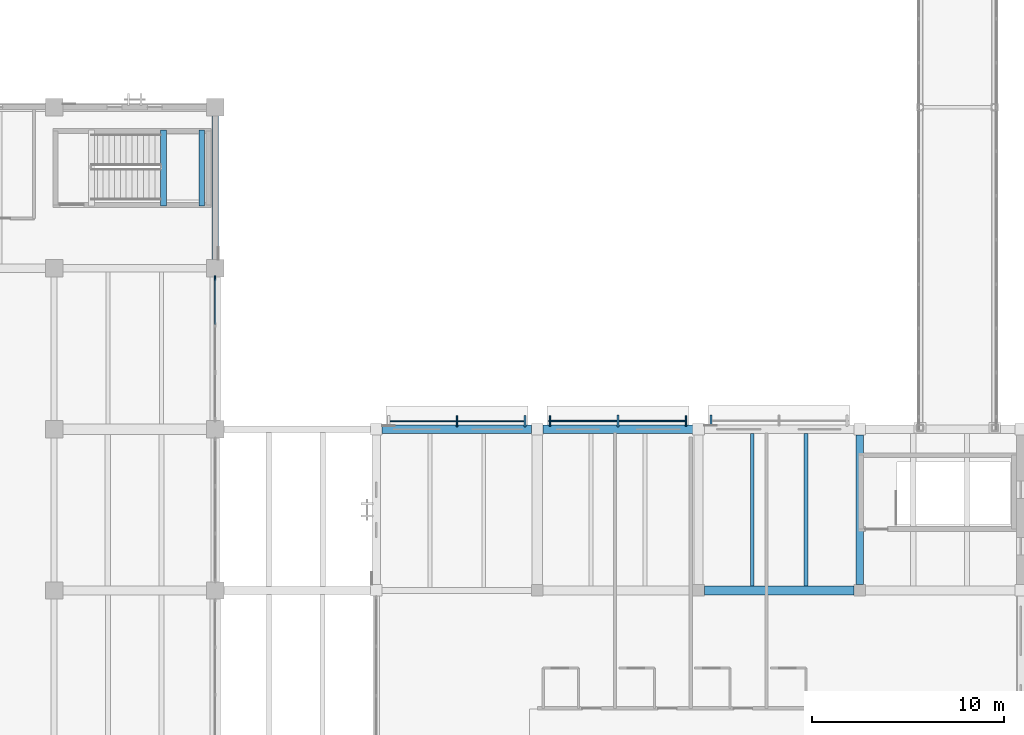
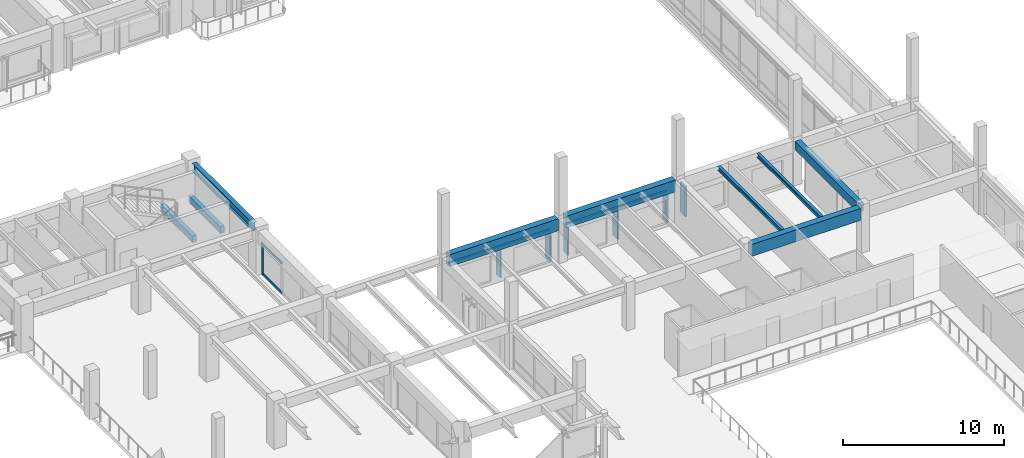
# One storey, part 24 of 118: 11 members, 9 beams, 4 elements without a shape of their own.
"""IFC4 building model written with IfcOpenShell, lengths in metres."""

import ifcopenshell
import ifcopenshell.guid

model = None  # the IFC model being written
_history = None  # IfcOwnerHistory: only IFC2X3 demands one
_inside = {}  # id of a spatial element -> (the spatial element, [elements in it])
_under = {}  # id of a project, library or spatial element -> (it, [spatial elements below it])
_declared = {}  # id of a project -> (the project, [libraries it declares])
_typed = {}  # id of a type object -> (the type object, [elements of that type])
_made_of = {}  # id of a material, layer set ... -> (it, [elements and type objects made of it])


def new_model(schema):
    """Start an empty IFC model of exactly this schema.

    Asked for "IFC4X3", IfcOpenShell would pick the latest addendum, in which some entities
    have other attributes; the version numbers below select the first issue.
    IFC2X3 requires an IfcOwnerHistory on every rooted entity: one is made here for all.
    """
    global model, _history
    if schema == "IFC4X3":
        model = ifcopenshell.file(schema_version=(4, 3, 0, 0))
    else:
        model = ifcopenshell.file(schema=schema)
    _inside.clear()
    _under.clear()
    _declared.clear()
    _typed.clear()
    _made_of.clear()
    _history = None
    if model.schema == "IFC2X3":
        org = make("IfcOrganization", Name="unknown")
        user = make(
            "IfcPersonAndOrganization",
            ThePerson=make("IfcPerson", FamilyName="unknown"),
            TheOrganization=org,
        )
        app = make(
            "IfcApplication",
            ApplicationDeveloper=org,
            Version="unknown",
            ApplicationFullName="unknown",
            ApplicationIdentifier="unknown",
        )
        _history = make(
            "IfcOwnerHistory",
            OwningUser=user,
            OwningApplication=app,
            ChangeAction="ADDED",
            CreationDate=0,
        )
    return model


def make(cls, **values):
    """One entity of the class cls with the attributes given. An attribute that is None is left unset."""
    return model.create_entity(
        cls, **{name: value for name, value in values.items() if value is not None}
    )


def rooted(cls, **values):
    """An entity with a GlobalId (a new one), such as an element, a storey or a relation."""
    return make(cls, GlobalId=ifcopenshell.guid.new(), OwnerHistory=_history, **values)


def si_unit(unit_type, name, prefix=None):
    """IfcSIUnit, for example si_unit("LENGTHUNIT", "METRE", prefix="MILLI")."""
    return make("IfcSIUnit", UnitType=unit_type, Prefix=prefix, Name=name)


def assignment(units):
    """IfcUnitAssignment: the units of a project."""
    return None if units is None else make("IfcUnitAssignment", Units=units)


def point(xyz):
    """IfcCartesianPoint."""
    return None if xyz is None else make("IfcCartesianPoint", Coordinates=xyz)


def direction(xyz):
    """IfcDirection."""
    return None if xyz is None else make("IfcDirection", DirectionRatios=xyz)


def frame(location, z_axis=None, x_axis=None):
    """IfcAxis2Placement3D, a coordinate frame: its origin and axes. An axis left out is left unset."""
    return make(
        "IfcAxis2Placement3D",
        Location=point(location),
        Axis=direction(z_axis),
        RefDirection=direction(x_axis),
    )


def frame_2d(location, x_axis=None):
    """IfcAxis2Placement2D, a coordinate frame in the plane: its origin and x axis."""
    return make(
        "IfcAxis2Placement2D", Location=point(location), RefDirection=direction(x_axis)
    )


def origin():
    """The frame at (0, 0, 0) with its axes left unset."""
    return frame((0.0, 0.0, 0.0))


def origin_2d():
    """The frame at (0, 0) in the plane with its x axis left unset."""
    return frame_2d((0.0, 0.0))


def place(relative_to, where):
    """IfcLocalPlacement: puts the frame where relative to a parent placement (None: the world)."""
    return make(
        "IfcLocalPlacement", PlacementRelTo=relative_to, RelativePlacement=where
    )


def context(
    kind, dimensions, precision=None, world=None, true_north=None, identifier=None
):
    """IfcGeometricRepresentationContext, for example the 3D "Model" context."""
    return make(
        "IfcGeometricRepresentationContext",
        ContextIdentifier=identifier,
        ContextType=kind,
        CoordinateSpaceDimension=dimensions,
        Precision=precision,
        WorldCoordinateSystem=world,
        TrueNorth=true_north,
    )


def subcontext(parent, identifier, kind, view, scale=None):
    """IfcGeometricRepresentationSubContext, for example "Body" below "Model"."""
    return make(
        "IfcGeometricRepresentationSubContext",
        ContextIdentifier=identifier,
        ContextType=kind,
        ParentContext=parent,
        TargetScale=scale,
        TargetView=view,
    )


def project(units=None, contexts=None):
    """IfcProject with its units and contexts."""
    return rooted(
        "IfcProject",
        Name="project",
        RepresentationContexts=contexts,
        UnitsInContext=assignment(units),
    )


def spatial(cls, under=None, at=None, **own):
    """A site, building, storey or space (cls), placed at a placement, below another one or the project."""
    s = rooted(cls, ObjectPlacement=at, **own)
    if under is not None:
        _under.setdefault(under.id(), (under, []))[1].append(s)
    return s


def profile(cls, at=None, kind="AREA", **sizes):
    """A parametric profile (cls). Its sizes go by their IFC names, for example OverallWidth=200.0."""
    return make(cls, ProfileType=kind, Position=at, **sizes)


def rectangle(**sizes):
    """IfcRectangleProfileDef."""
    return profile("IfcRectangleProfileDef", **sizes)


def i_section(**sizes):
    """IfcIShapeProfileDef."""
    return profile("IfcIShapeProfileDef", **sizes)


def extrude(swept, where, along, depth):
    """IfcExtrudedAreaSolid: the profile swept, set in the frame where, extruded along a direction by depth."""
    return make(
        "IfcExtrudedAreaSolid",
        SweptArea=swept,
        Position=where,
        ExtrudedDirection=direction(along),
        Depth=depth,
    )


def shape(context_of_items, identifier, shape_type, items):
    """IfcShapeRepresentation: the items that make up one representation, for example the "Body"."""
    return make(
        "IfcShapeRepresentation",
        ContextOfItems=context_of_items,
        RepresentationIdentifier=identifier,
        RepresentationType=shape_type,
        Items=items,
    )


def material(Name=None, Category=None):
    """IfcMaterial."""
    return make("IfcMaterial", Name=Name, Category=Category)


def material_profile(
    of_material, cross_section, Name=None, Category=None, Priority=None
):
    """IfcMaterialProfile: a cross section and its material."""
    return make(
        "IfcMaterialProfile",
        Name=Name,
        Material=of_material,
        Profile=cross_section,
        Priority=Priority,
        Category=Category,
    )


def profile_set(profiles, Name=None, composite=None):
    """IfcMaterialProfileSet."""
    return make(
        "IfcMaterialProfileSet",
        Name=Name,
        MaterialProfiles=profiles,
        CompositeProfile=composite,
    )


def made_of(thing, what):
    """Note that an element or type object is made of a material, layer set ...; save() writes the relation."""
    if what is not None:
        _made_of.setdefault(what.id(), (what, []))[1].append(thing)
    return thing


def type_object(cls, material=None, **own):
    """A type object (cls), such as IfcWallType, which elements share."""
    return made_of(rooted(cls, **own), material)


def element(
    cls,
    number,
    at=None,
    inside=None,
    cuts=None,
    type_object=None,
    material=None,
    context=None,
    identifier="Body",
    shape_type=None,
    held_by="IfcProductDefinitionShape",
    body=None,
    shapes=None,
    **own,
):
    """One element of the class cls, such as IfcWall. Its Tag is "e" and its number.

    at: its placement. inside: the storey or other place that contains it. cuts: it is an
    opening in that element (IfcRelVoidsElement). A single representation is given by context,
    identifier, shape_type and body (its items); several are given by shapes. held_by: the class
    of the entity that holds the representations. save() writes the other relations.
    """
    e = rooted(cls, Tag="e%d" % number, ObjectPlacement=at, **own)
    if body is not None:
        shapes = [shape(context, identifier, shape_type, body)]
    if shapes is not None:
        e.Representation = make(held_by, Representations=shapes)
    if inside is not None:
        _inside.setdefault(inside.id(), (inside, []))[1].append(e)
    if cuts is not None:
        rooted(
            "IfcRelVoidsElement", RelatingBuildingElement=cuts, RelatedOpeningElement=e
        )
    if type_object is not None:
        _typed.setdefault(type_object.id(), (type_object, []))[1].append(e)
    return made_of(e, material)


def aggregate(whole, parts):
    """IfcRelAggregates: a whole, such as a stair, and the parts it consists of."""
    return rooted("IfcRelAggregates", RelatingObject=whole, RelatedObjects=parts)


def save(model, path):
    """Write the relations noted so far, then the file.

    IfcRelAggregates (storeys below a building ...), IfcRelContainedInSpatialStructure (elements
    in a storey), IfcRelDefinesByType, IfcRelAssociatesMaterial and IfcRelDeclares: one each for
    every whole, place, type object, material and project.
    """
    for whole, parts in _under.values():
        aggregate(whole, parts)
    for where, things in _inside.values():
        rooted(
            "IfcRelContainedInSpatialStructure",
            RelatedElements=things,
            RelatingStructure=where,
        )
    for kind, things in _typed.values():
        rooted("IfcRelDefinesByType", RelatedObjects=things, RelatingType=kind)
    for what, things in _made_of.values():
        rooted("IfcRelAssociatesMaterial", RelatedObjects=things, RelatingMaterial=what)
    for by, libraries in _declared.values():
        rooted("IfcRelDeclares", RelatingContext=by, RelatedDefinitions=libraries)
    model.write(path)


model = new_model("IFC4")

# Units and contexts
model_context = context("Model", 3, precision=1e-05, world=origin(), true_north=direction((0.0, 1.0)))
body_context = subcontext(model_context, "Body", "Model", "MODEL_VIEW")
ifc_project = project(units=[si_unit("LENGTHUNIT", "METRE"), si_unit("AREAUNIT", "SQUARE_METRE"), si_unit("VOLUMEUNIT", "CUBIC_METRE"), si_unit("PLANEANGLEUNIT", "RADIAN"), si_unit("MASSUNIT", "GRAM", prefix="KILO")], contexts=[model_context])

# Site, building, storey
site_placement = place(None, origin())
site = spatial("IfcSite", under=ifc_project, at=site_placement, CompositionType="ELEMENT")
building_placement = place(site_placement, origin())
building = spatial("IfcBuilding", under=site, at=building_placement, Name="Cumbredor Promenade Congress Hotel", CompositionType="ELEMENT")
storey_placement = place(building_placement, frame((0.0, 0.0, 3.919921875)))
storey = spatial("IfcBuildingStorey", under=building, at=storey_placement, Name="L01", CompositionType="ELEMENT", Elevation=3.919921875)

# Beam
ifc_material_1 = material(Name="Concrete C40/50", Category="concrete")
ifc_material_profile_1 = material_profile(ifc_material_1, rectangle(XDim=0.39990234375, YDim=0.64990234375, at=origin_2d()), Name="RC BEAM 400x650")
ifc_profile_set_1 = profile_set([ifc_material_profile_1], Name="Concrete C40/50")
beam_type_1 = type_object("IfcBeamType", Name="BM-RC-400x650", PredefinedType="BEAM", material=ifc_profile_set_1)
beam_1_placement = place(storey_placement, frame((100.800048828125, 42.300048828125, 3.03515625), z_axis=(0.0, 1.0, 0.0), x_axis=(-1.0, 0.0, 0.0)))
element("IfcBeam", 1, at=beam_1_placement, inside=storey, type_object=beam_type_1, Name="L02 Y-Grid Beam 185", PredefinedType="BEAM", context=body_context, shape_type="SweptSolid", body=[
    extrude(rectangle(XDim=0.39990234375, YDim=0.64990234375, at=origin_2d()), origin(), (0.0, 0.0, 1.0), 7.800048828125),
])

# Curtain wall, member
ifc_material_2 = material(Name="Thermally broken anodized aluminium and low-E glass", Category="aluminium")
curtain_wall_type_1 = type_object("IfcCurtainWallType", Name="Unitised Bronze Curtain Wall CW-01", PredefinedType="NOTDEFINED", material=ifc_material_2)
curtain_wall_1_placement = place(storey_placement, origin())
curtain_wall_1 = element("IfcCurtainWall", 2, at=curtain_wall_1_placement, inside=storey, type_object=curtain_wall_type_1, Name="L01 Plenary Congress Hall East Curtain Wall 6", PredefinedType="NOTDEFINED")
ifc_material_3 = material(Name="Thermally broken anodized aluminium", Category="aluminium")
ifc_material_profile_2 = material_profile(ifc_material_3, rectangle(XDim=0.080078125, YDim=0.239990234375, at=origin_2d()), Name="ALU MULLION 80x240")
ifc_profile_set_2 = profile_set([ifc_material_profile_2], Name="Thermally broken anodized aluminium")
member_type_1 = type_object("IfcMemberType", Name="Curtain Wall Mullion ML-03", PredefinedType="MULLION", material=ifc_profile_set_2)
member_1_placement = place(storey_placement, frame((67.199951171875, 58.294921875, -0.0078125), z_axis=(0.0, 0.0, 1.0), x_axis=(1.0, 0.0, 0.0)))
member_1 = element("IfcMember", 3, at=member_1_placement, type_object=member_type_1, Name="L01 Plenary Congress Hall East Curtain Wall 6 Mullion 4", PredefinedType="MULLION", context=body_context, shape_type="SweptSolid", body=[
    extrude(rectangle(XDim=0.080078125, YDim=0.239990234375, at=origin_2d()), origin(), (0.0, 0.0, 1.0), 2.410888671875),
])

curtain_wall_type_2 = type_object("IfcCurtainWallType", Name="Solar Brise-Soleil Screen Assembly CW-07", PredefinedType="NOTDEFINED", material=ifc_material_2)
curtain_wall_2_placement = place(storey_placement, origin())
curtain_wall_2 = element("IfcCurtainWall", 4, at=curtain_wall_2_placement, inside=storey, type_object=curtain_wall_type_2, Name="L01 Hospitality Brise-Soleil Screen 001", PredefinedType="NOTDEFINED")
ifc_material_profile_3 = material_profile(ifc_material_3, rectangle(XDim=0.06494140625, YDim=0.1298828125, at=origin_2d()), Name="ALU TRANSOM 65x130")
ifc_profile_set_3 = profile_set([ifc_material_profile_3], Name="Thermally broken anodized aluminium")
member_type_2 = type_object("IfcMemberType", Name="Curtain Wall Transom TR-01", PredefinedType="USERDEFINED", material=ifc_profile_set_3)
member_2_placement = place(storey_placement, frame((76.200927734375, 50.822509765625, 2.26513671875), z_axis=(1.0, 0.0, 0.0), x_axis=(0.0, 1.0, 0.0)))
member_2 = element("IfcMember", 5, at=member_2_placement, type_object=member_type_2, Name="L01 Brise-Soleil Screen Transom 001", ObjectType="TRANSOM", PredefinedType="USERDEFINED", context=body_context, shape_type="SweptSolid", body=[
    extrude(rectangle(XDim=0.06494140625, YDim=0.1298828125, at=origin_2d()), origin(), (0.0, 0.0, 1.0), 7.197998046875),
])

curtain_wall_3_placement = place(storey_placement, origin())
curtain_wall_3 = element("IfcCurtainWall", 6, at=curtain_wall_3_placement, inside=storey, type_object=curtain_wall_type_2, Name="L01 Hospitality Brise-Soleil Screen 002", PredefinedType="NOTDEFINED")
member_3_placement = place(storey_placement, frame((84.60107421875, 50.8349609375, 2.26513671875), z_axis=(1.0, 0.0, 0.0), x_axis=(0.0, 1.0, 0.0)))
member_3 = element("IfcMember", 7, at=member_3_placement, type_object=member_type_2, Name="L01 Brise-Soleil Screen Transom 002", ObjectType="TRANSOM", PredefinedType="USERDEFINED", context=body_context, shape_type="SweptSolid", body=[
    extrude(rectangle(XDim=0.06494140625, YDim=0.1298828125, at=origin_2d()), origin(), (0.0, 0.0, 1.0), 7.197998046875),
])

# Member
ifc_material_profile_4 = material_profile(ifc_material_3, rectangle(XDim=0.080078125, YDim=0.179931640625, at=origin_2d()), Name="ALU TRANSOM 80x180")
ifc_profile_set_4 = profile_set([ifc_material_profile_4], Name="Thermally broken anodized aluminium")
member_type_3 = type_object("IfcMemberType", Name="Curtain Wall Transom TR-03", PredefinedType="USERDEFINED", material=ifc_profile_set_4)
member_4_placement = place(storey_placement, frame((67.199951171875, 55.87158203125, 0.090087890625), z_axis=(0.0, 1.0, 0.0), x_axis=(-1.0, 0.0, 0.0)))
member_4 = element("IfcMember", 8, at=member_4_placement, type_object=member_type_3, Name="L01 Plenary Congress Hall East Curtain Wall 6 Transom 3.1", ObjectType="TRANSOM", PredefinedType="USERDEFINED", context=body_context, shape_type="SweptSolid", body=[
    extrude(rectangle(XDim=0.080078125, YDim=0.179931640625, at=origin_2d()), origin(), (0.0, 0.0, 1.0), 2.38330078125),
])

member_5_placement = place(storey_placement, frame((67.199951171875, 55.87158203125, 2.31005859375), z_axis=(0.0, 1.0, 0.0), x_axis=(-1.0, 0.0, 0.0)))
member_5 = element("IfcMember", 9, at=member_5_placement, type_object=member_type_3, Name="L01 Plenary Congress Hall East Curtain Wall 6 Transom 3.2", ObjectType="TRANSOM", PredefinedType="USERDEFINED", context=body_context, shape_type="SweptSolid", body=[
    extrude(rectangle(XDim=0.080078125, YDim=0.179931640625, at=origin_2d()), origin(), (0.0, 0.0, 1.0), 2.38330078125),
])

aggregate(curtain_wall_1, [member_1, member_4, member_5])

# Beams
ifc_material_4 = material(Name="Steel ASTM A992 Grade 50", Category="steel")
ifc_material_profile_5 = material_profile(ifc_material_4, i_section(OverallWidth=0.202880859375, OverallDepth=0.302978515625, WebThickness=0.007568359375, FlangeThickness=0.01318359375, at=origin_2d()), Name="W12X40")
ifc_profile_set_5 = profile_set([ifc_material_profile_5], Name="Steel ASTM A992 Grade 50")
beam_type_2 = type_object("IfcBeamType", Name="JST-W12X40", PredefinedType="JOIST", material=ifc_profile_set_5)
for number, where, z_axis, x_axis, name in (
    (10, (95.199951171875, 42.22509765625, 3.20849609375), (0.0, 1.0, 0.0), (-1.0, 0.0, 0.0), "L02 Secondary Floor Joist 0102"),
    (11, (98.0, 42.22509765625, 3.20849609375), (0.0, 1.0, 0.0), (-1.0, 0.0, 0.0), "L02 Secondary Floor Joist 0103"),
):
    element("IfcBeam", number, at=place(storey_placement, frame(where, z_axis=z_axis, x_axis=x_axis)), inside=storey, type_object=beam_type_2, Name=name, PredefinedType="JOIST", context=body_context, shape_type="SweptSolid", body=[
        extrude(i_section(OverallWidth=0.202880859375, OverallDepth=0.302978515625, WebThickness=0.007568359375, FlangeThickness=0.01318359375, at=origin_2d()), origin(), (0.0, 0.0, 1.0), 7.949951171875),
    ])
ifc_material_profile_6 = material_profile(ifc_material_1, rectangle(XDim=0.300048828125, YDim=0.5, at=origin_2d()), Name="RC LINTEL 300x500")
ifc_profile_set_6 = profile_set([ifc_material_profile_6], Name="Concrete C40/50")
beam_type_3 = type_object("IfcBeamType", Name="LN-RC-300x500", PredefinedType="LINTEL", material=ifc_profile_set_6)
for number, where, z_axis, x_axis, name in (
    (12, (66.5, 62.050048828125, 1.3701171875), (0.0, 1.0, 0.0), (-1.0, 0.0, 0.0), "L01 Stair ST-07 Landing Ledger Beam E"),
    (13, (64.5, 62.050048828125, 1.3701171875), (0.0, 1.0, 0.0), (-1.0, 0.0, 0.0), "L01 Stair ST-07 Landing Ledger Beam W"),
):
    element("IfcBeam", number, at=place(storey_placement, frame(where, z_axis=z_axis, x_axis=x_axis)), inside=storey, type_object=beam_type_3, Name=name, PredefinedType="LINTEL", context=body_context, shape_type="SweptSolid", body=[
        extrude(rectangle(XDim=0.300048828125, YDim=0.5, at=origin_2d()), origin(), (0.0, 0.0, 1.0), 3.949951171875),
    ])
ifc_material_profile_7 = material_profile(ifc_material_1, rectangle(XDim=0.449951171875, YDim=0.89990234375, at=origin_2d()), Name="RC SPANDREL 450x900")
ifc_profile_set_7 = profile_set([ifc_material_profile_7], Name="Concrete C40/50")
beam_type_4 = type_object("IfcBeamType", Name="SP-RC-450x900", PredefinedType="SPANDREL", material=ifc_profile_set_7)
for number, where, z_axis, x_axis, name in (
    (14, (75.89990234375, 50.39990234375, 2.91015625), (1.0, 0.0, 0.0), (0.0, 1.0, 0.0), "L02 X-Grid Beam 143"),
    (15, (84.300048828125, 50.39990234375, 2.91015625), (1.0, 0.0, 0.0), (0.0, 1.0, 0.0), "L02 X-Grid Beam 157"),
    (16, (92.699951171875, 42.0, 2.91015625), (1.0, 0.0, 0.0), (0.0, 1.0, 0.0), "L02 X-Grid Beam 169"),
):
    element("IfcBeam", number, at=place(storey_placement, frame(where, z_axis=z_axis, x_axis=x_axis)), inside=storey, type_object=beam_type_4, Name=name, PredefinedType="SPANDREL", context=body_context, shape_type="SweptSolid", body=[
        extrude(rectangle(XDim=0.449951171875, YDim=0.89990234375, at=origin_2d()), origin(), (0.0, 0.0, 1.0), 7.800048828125),
    ])
ifc_material_profile_8 = material_profile(ifc_material_4, i_section(OverallWidth=0.323974609375, OverallDepth=0.611083984375, WebThickness=0.0126953125, FlangeThickness=0.01904296875, at=origin_2d()), Name="W24X104")
ifc_profile_set_8 = profile_set([ifc_material_profile_8], Name="Steel ASTM A992 Grade 50")
beam_type_5 = type_object("IfcBeamType", Name="SP-W24X104", PredefinedType="SPANDREL", material=ifc_profile_set_8)
beam_2_placement = place(storey_placement, frame((67.199951171875, 59.25, 3.0546875), z_axis=(0.0, 1.0, 0.0), x_axis=(-1.0, 0.0, 0.0)))
element("IfcBeam", 17, at=beam_2_placement, inside=storey, type_object=beam_type_5, Name="L02 Y-Grid Beam 125", PredefinedType="SPANDREL", context=body_context, shape_type="SweptSolid", body=[
    extrude(i_section(OverallWidth=0.323974609375, OverallDepth=0.611083984375, WebThickness=0.0126953125, FlangeThickness=0.01904296875, at=origin_2d()), origin(), (0.0, 0.0, 1.0), 7.5),
])

# Member
ifc_material_profile_9 = material_profile(ifc_material_3, rectangle(XDim=0.110107421875, YDim=0.6201171875, at=origin_2d()), Name="ARCH FIN 110x620")
ifc_profile_set_9 = profile_set([ifc_material_profile_9], Name="Thermally broken anodized aluminium")
member_type_4 = type_object("IfcMemberType", Name="Vertical Bronze Brise-Soleil Fin BSF-02 110x620", PredefinedType="USERDEFINED", material=ifc_profile_set_9)
member_6_placement = place(storey_placement, frame((83.34912109375, 50.822509765625, 0.02001953125), z_axis=(0.0, 0.0, 1.0), x_axis=(1.0, 0.0, 0.0)))
member_6 = element("IfcMember", 18, at=member_6_placement, type_object=member_type_4, Name="L01 Vertical Brise-Soleil Fin 0198", ObjectType="SOLAR FIN", PredefinedType="USERDEFINED", context=body_context, shape_type="SweptSolid", body=[
    extrude(rectangle(XDim=0.110107421875, YDim=0.6201171875, at=origin_2d()), origin(), (0.0, 0.0, 1.0), 2.30517578125),
])

member_7_placement = place(storey_placement, frame((88.199951171875, 50.8349609375, 0.02001953125), z_axis=(0.0, 0.0, 1.0), x_axis=(1.0, 0.0, 0.0)))
member_7 = element("IfcMember", 19, at=member_7_placement, type_object=member_type_4, Name="L01 Vertical Brise-Soleil Fin 0200", ObjectType="SOLAR FIN", PredefinedType="USERDEFINED", context=body_context, shape_type="SweptSolid", body=[
    extrude(rectangle(XDim=0.110107421875, YDim=0.6201171875, at=origin_2d()), origin(), (0.0, 0.0, 1.0), 2.30517578125),
])

# Curtain wall, member
curtain_wall_4_placement = place(storey_placement, origin())
curtain_wall_4 = element("IfcCurtainWall", 20, at=curtain_wall_4_placement, inside=storey, type_object=curtain_wall_type_2, Name="L01 Hospitality Brise-Soleil Screen 003", PredefinedType="NOTDEFINED")
member_8_placement = place(storey_placement, frame((93.051025390625, 50.85009765625, 0.02001953125), z_axis=(0.0, 0.0, 1.0), x_axis=(1.0, 0.0, 0.0)))
member_8 = element("IfcMember", 21, at=member_8_placement, type_object=member_type_4, Name="L01 Vertical Brise-Soleil Fin 0202", ObjectType="SOLAR FIN", PredefinedType="USERDEFINED", context=body_context, shape_type="SweptSolid", body=[
    extrude(rectangle(XDim=0.110107421875, YDim=0.6201171875, at=origin_2d()), origin(), (0.0, 0.0, 1.0), 2.30517578125),
])
aggregate(curtain_wall_4, [member_8])

# Member
ifc_material_5 = material(Name="Kiln-dried tropical hardwood", Category="wood")
ifc_material_profile_10 = material_profile(ifc_material_5, rectangle(XDim=0.090087890625, YDim=0.550048828125, at=origin_2d()), Name="ARCH FIN 90x550")
ifc_profile_set_10 = profile_set([ifc_material_profile_10], Name="Kiln-dried tropical hardwood")
member_type_5 = type_object("IfcMemberType", Name="Vertical Hardwood Brise-Soleil Fin BSF-01 90x550", PredefinedType="USERDEFINED", material=ifc_profile_set_10)
member_9_placement = place(storey_placement, frame((79.800048828125, 50.822509765625, 0.02001953125), z_axis=(0.0, 0.0, 1.0), x_axis=(1.0, 0.0, 0.0)))
member_9 = element("IfcMember", 22, at=member_9_placement, type_object=member_type_5, Name="L01 Vertical Brise-Soleil Fin 0197", ObjectType="SOLAR FIN", PredefinedType="USERDEFINED", context=body_context, shape_type="SweptSolid", body=[
    extrude(rectangle(XDim=0.090087890625, YDim=0.550048828125, at=origin_2d()), origin(), (0.0, 0.0, 1.0), 2.30517578125),
])

aggregate(curtain_wall_2, [member_2, member_9, member_6])

member_10_placement = place(storey_placement, frame((84.65087890625, 50.8349609375, 0.02001953125), z_axis=(0.0, 0.0, 1.0), x_axis=(1.0, 0.0, 0.0)))
member_10 = element("IfcMember", 23, at=member_10_placement, type_object=member_type_5, Name="L01 Vertical Brise-Soleil Fin 0199", ObjectType="SOLAR FIN", PredefinedType="USERDEFINED", context=body_context, shape_type="SweptSolid", body=[
    extrude(rectangle(XDim=0.090087890625, YDim=0.550048828125, at=origin_2d()), origin(), (0.0, 0.0, 1.0), 2.30517578125),
])

member_11_placement = place(storey_placement, frame((91.7490234375, 50.8349609375, 0.02001953125), z_axis=(0.0, 0.0, 1.0), x_axis=(1.0, 0.0, 0.0)))
member_11 = element("IfcMember", 24, at=member_11_placement, type_object=member_type_5, Name="L01 Vertical Brise-Soleil Fin 0201", ObjectType="SOLAR FIN", PredefinedType="USERDEFINED", context=body_context, shape_type="SweptSolid", body=[
    extrude(rectangle(XDim=0.090087890625, YDim=0.550048828125, at=origin_2d()), origin(), (0.0, 0.0, 1.0), 2.30517578125),
])

aggregate(curtain_wall_3, [member_3, member_10, member_7, member_11])

save(model, "model.ifc")
